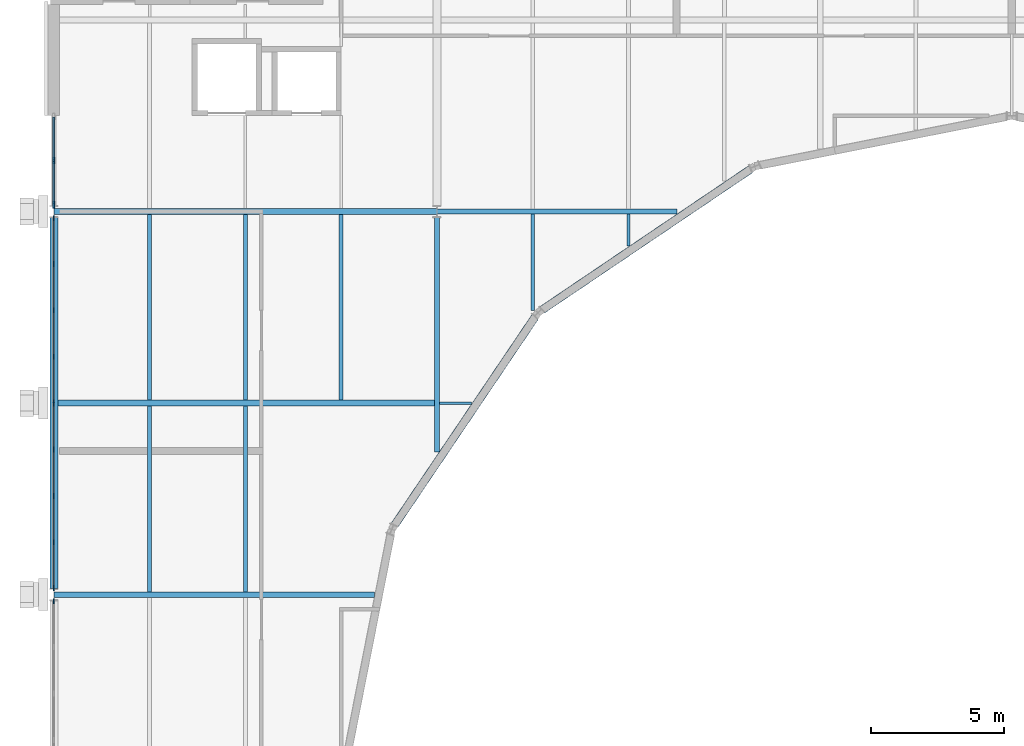
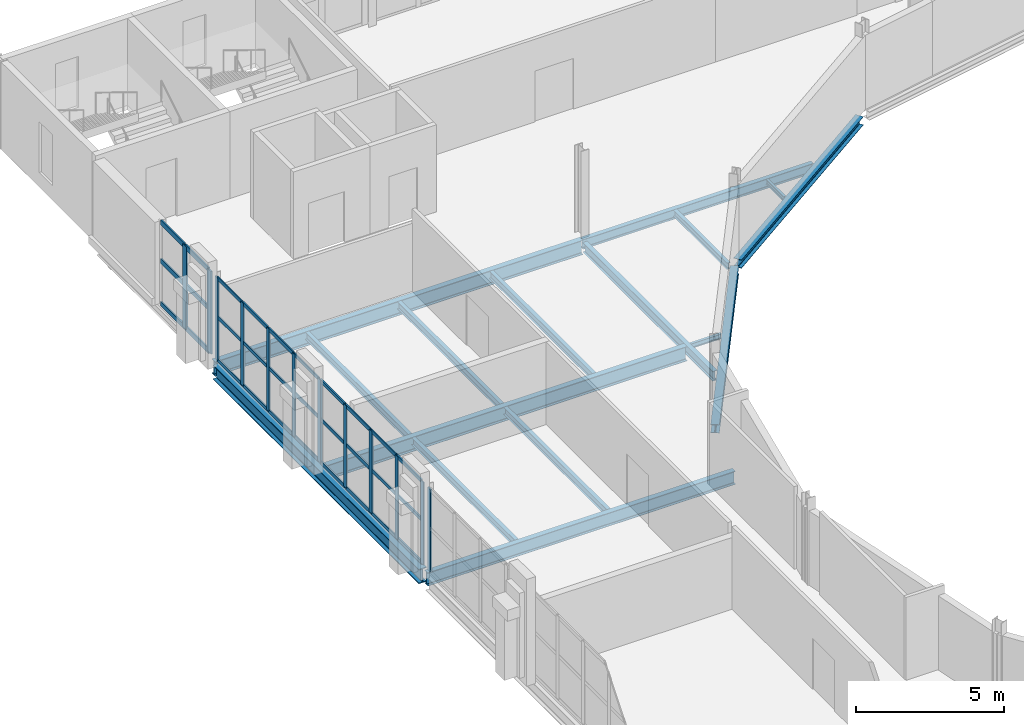
# One storey, part 39 of 124: 43 members, 16 beams, 4 elements without a shape of their own.
"""IFC4 building model written with IfcOpenShell, lengths in metres."""

from ifc_helpers import new_model, si_unit, direction, frame, origin, origin_2d, place, context, subcontext, project, spatial, rectangle, i_section, extrude, material, material_profile, profile_set, type_object, element, aggregate, save


model = new_model("IFC4")

# Units and contexts
model_context = context("Model", 3, precision=1e-05, world=origin(), true_north=direction((0.0, 1.0)))
body_context = subcontext(model_context, "Body", "Model", "MODEL_VIEW")
ifc_project = project(units=[si_unit("LENGTHUNIT", "METRE"), si_unit("AREAUNIT", "SQUARE_METRE"), si_unit("VOLUMEUNIT", "CUBIC_METRE"), si_unit("PLANEANGLEUNIT", "RADIAN"), si_unit("MASSUNIT", "GRAM", prefix="KILO")], contexts=[model_context])

# Site, building, storey
site_placement = place(None, origin())
site = spatial("IfcSite", under=ifc_project, at=site_placement, CompositionType="ELEMENT")
building_placement = place(site_placement, origin())
building = spatial("IfcBuilding", under=site, at=building_placement, Name="Kupolbacken Congress Centre", CompositionType="ELEMENT")
storey_placement = place(building_placement, frame((0.0, 0.0, 10.800048828125)))
storey = spatial("IfcBuildingStorey", under=building, at=storey_placement, Name="L03", CompositionType="ELEMENT", Elevation=10.800048828125)

# Beams
ifc_material_1 = material(Name="Steel S355", Category="steel")
ifc_material_profile_1 = material_profile(ifc_material_1, i_section(OverallWidth=0.10009765625, OverallDepth=0.199951171875, WebThickness=0.005615234375, FlangeThickness=0.008544921875, FilletRadius=0.011962890625, at=origin_2d()), Name="IPE 200")
ifc_profile_set_1 = profile_set([ifc_material_profile_1], Name="Steel S355")
beam_type_1 = type_object("IfcBeamType", Name="B01 beam IPE 200", PredefinedType="BEAM", material=ifc_profile_set_1)
beam_1_placement = place(storey_placement, frame((21.68994140625, 100.800048828125, -0.280029296875), z_axis=(1.0, 0.0, 0.0), x_axis=(0.0, 1.0, 0.0)))
element("IfcBeam", 1, at=beam_1_placement, inside=storey, type_object=beam_type_1, Name="S/floor/P/L03/R058", PredefinedType="BEAM", context=body_context, shape_type="SweptSolid", body=[
    extrude(i_section(OverallWidth=0.10009765625, OverallDepth=0.199951171875, WebThickness=0.005615234375, FlangeThickness=0.008544921875, FilletRadius=0.011962890625, at=origin_2d()), origin(), (0.0, 0.0, 1.0), 1.200927734375),
])
beam_2_placement = place(storey_placement, frame((28.800048828125, 106.709228515625, -0.280029296875), z_axis=(0.0, 1.0, 0.0), x_axis=(-1.0, 0.0, 0.0)))
element("IfcBeam", 2, at=beam_2_placement, inside=storey, type_object=beam_type_1, Name="S/floor/P/L03/S105", PredefinedType="BEAM", context=body_context, shape_type="SweptSolid", body=[
    extrude(i_section(OverallWidth=0.10009765625, OverallDepth=0.199951171875, WebThickness=0.005615234375, FlangeThickness=0.008544921875, FilletRadius=0.011962890625, at=origin_2d()), origin(), (0.0, 0.0, 1.0), 1.20068359375),
])
ifc_material_2 = material(Name="Steel S355", Category="steel")
ifc_material_profile_2 = material_profile(ifc_material_2, i_section(OverallWidth=0.135009765625, OverallDepth=0.27001953125, WebThickness=0.006591796875, FlangeThickness=0.01025390625, FilletRadius=0.014892578125, at=origin_2d()), Name="IPE 270")
ifc_profile_set_2 = profile_set([ifc_material_profile_2], Name="Steel S355")
beam_type_2 = type_object("IfcBeamType", Name="B03 beam IPE 270", PredefinedType="BEAM", material=ifc_profile_set_2)
beam_3_placement = place(storey_placement, frame((25.199951171875, 104.271728515625, -0.31494140625), z_axis=(0.0, 1.0, 0.0), x_axis=(-1.0, 0.0, 0.0)))
element("IfcBeam", 3, at=beam_3_placement, inside=storey, type_object=beam_type_2, Name="S/floor/P/L03/S099", PredefinedType="BEAM", context=body_context, shape_type="SweptSolid", body=[
    extrude(i_section(OverallWidth=0.135009765625, OverallDepth=0.27001953125, WebThickness=0.006591796875, FlangeThickness=0.01025390625, FilletRadius=0.014892578125, at=origin_2d()), origin(), (0.0, 0.0, 1.0), 3.63818359375),
])
ifc_material_3 = material(Name="Steel S355", Category="steel")
ifc_material_profile_3 = material_profile(ifc_material_3, i_section(OverallWidth=0.14990234375, OverallDepth=0.300048828125, WebThickness=0.007080078125, FlangeThickness=0.0107421875, FilletRadius=0.014892578125, at=origin_2d()), Name="IPE 300")
ifc_profile_set_3 = profile_set([ifc_material_profile_3], Name="Steel S355")
beam_type_3 = type_object("IfcBeamType", Name="B04 beam IPE 300", PredefinedType="BEAM", material=ifc_profile_set_3)
beam_4_placement = place(storey_placement, frame((10.800048828125, 93.705078125, -0.330078125), z_axis=(0.0, 1.0, 0.0), x_axis=(-1.0, 0.0, 0.0)))
element("IfcBeam", 4, at=beam_4_placement, inside=storey, type_object=beam_type_3, Name="S/floor/P/L03/S081", PredefinedType="BEAM", context=body_context, shape_type="SweptSolid", body=[
    extrude(i_section(OverallWidth=0.14990234375, OverallDepth=0.300048828125, WebThickness=0.007080078125, FlangeThickness=0.0107421875, FilletRadius=0.014892578125, at=origin_2d()), origin(), (0.0, 0.0, 1.0), 6.98486328125),
])
beam_5_placement = place(storey_placement, frame((10.800048828125, 100.909912109375, -0.330078125), z_axis=(0.0, 1.0, 0.0), x_axis=(-1.0, 0.0, 0.0)))
element("IfcBeam", 5, at=beam_5_placement, inside=storey, type_object=beam_type_3, Name="S/floor/P/L03/S082", PredefinedType="BEAM", context=body_context, shape_type="SweptSolid", body=[
    extrude(i_section(OverallWidth=0.14990234375, OverallDepth=0.300048828125, WebThickness=0.007080078125, FlangeThickness=0.0107421875, FilletRadius=0.014892578125, at=origin_2d()), origin(), (0.0, 0.0, 1.0), 6.97998046875),
])
beam_6_placement = place(storey_placement, frame((14.39990234375, 93.705078125, -0.330078125), z_axis=(0.0, 1.0, 0.0), x_axis=(-1.0, 0.0, 0.0)))
element("IfcBeam", 6, at=beam_6_placement, inside=storey, type_object=beam_type_3, Name="S/floor/P/L03/S091", PredefinedType="BEAM", context=body_context, shape_type="SweptSolid", body=[
    extrude(i_section(OverallWidth=0.14990234375, OverallDepth=0.300048828125, WebThickness=0.007080078125, FlangeThickness=0.0107421875, FilletRadius=0.014892578125, at=origin_2d()), origin(), (0.0, 0.0, 1.0), 6.98486328125),
])
for number, where, z_axis, x_axis, name in (
    (7, (14.39990234375, 100.909912109375, -0.330078125), (0.0, 1.0, 0.0), (-1.0, 0.0, 0.0), "S/floor/P/L03/S092"),
    (8, (18.0, 100.909912109375, -0.330078125), (0.0, 1.0, 0.0), (-1.0, 0.0, 0.0), "S/floor/P/L03/S169"),
):
    element("IfcBeam", number, at=place(storey_placement, frame(where, z_axis=z_axis, x_axis=x_axis)), inside=storey, type_object=beam_type_3, Name=name, PredefinedType="BEAM", context=body_context, shape_type="SweptSolid", body=[
        extrude(i_section(OverallWidth=0.14990234375, OverallDepth=0.300048828125, WebThickness=0.007080078125, FlangeThickness=0.0107421875, FilletRadius=0.014892578125, at=origin_2d()), origin(), (0.0, 0.0, 1.0), 6.97998046875),
    ])
ifc_material_4 = material(Name="Steel S355", Category="steel")
ifc_material_profile_4 = material_profile(ifc_material_4, i_section(OverallWidth=0.179931640625, OverallDepth=0.39990234375, WebThickness=0.008544921875, FlangeThickness=0.013427734375, FilletRadius=0.02099609375, at=origin_2d()), Name="IPE 400")
ifc_profile_set_4 = profile_set([ifc_material_profile_4], Name="Steel S355")
beam_type_4 = type_object("IfcBeamType", Name="B07 beam IPE 400", PredefinedType="BEAM", material=ifc_profile_set_4)
beam_7_placement = place(storey_placement, frame((21.60009765625, 98.970703125, -0.380126953125), z_axis=(0.0, 1.0, 0.0), x_axis=(-1.0, 0.0, 0.0)))
element("IfcBeam", 9, at=beam_7_placement, inside=storey, type_object=beam_type_4, Name="S/floor/P/L03/G023", PredefinedType="BEAM", context=body_context, shape_type="SweptSolid", body=[
    extrude(i_section(OverallWidth=0.179931640625, OverallDepth=0.39990234375, WebThickness=0.008544921875, FlangeThickness=0.013427734375, FilletRadius=0.02099609375, at=origin_2d()), origin(), (0.0, 0.0, 1.0), 8.80419921875),
])
beam_8_placement = place(storey_placement, frame((21.60693359375, 108.0, -0.380126953125), z_axis=(1.0, 0.0, 0.0), x_axis=(0.0, 1.0, 0.0)))
element("IfcBeam", 10, at=beam_8_placement, inside=storey, type_object=beam_type_4, Name="S/floor/P/L03/R062", PredefinedType="BEAM", context=body_context, shape_type="SweptSolid", body=[
    extrude(i_section(OverallWidth=0.179931640625, OverallDepth=0.39990234375, WebThickness=0.008544921875, FlangeThickness=0.013427734375, FilletRadius=0.02099609375, at=origin_2d()), origin(), (0.0, 0.0, 1.0), 9.0224609375),
])
ifc_material_5 = material(Name="Steel S355", Category="steel")
ifc_material_profile_5 = material_profile(ifc_material_5, i_section(OverallWidth=0.2099609375, OverallDepth=0.550048828125, WebThickness=0.010986328125, FlangeThickness=0.01708984375, FilletRadius=0.02392578125, at=origin_2d()), Name="IPE 550")
ifc_profile_set_5 = profile_set([ifc_material_profile_5], Name="Steel S355")
beam_type_5 = type_object("IfcBeamType", Name="B10 beam IPE 550", PredefinedType="BEAM", material=ifc_profile_set_5)
beam_9_placement = place(storey_placement, frame((7.20703125, 93.60009765625, -0.455078125), z_axis=(1.0, 0.0, 0.0), x_axis=(0.0, 1.0, 0.0)))
element("IfcBeam", 11, at=beam_9_placement, inside=storey, type_object=beam_type_5, Name="S/floor/P/L03/R055", PredefinedType="BEAM", context=body_context, shape_type="SweptSolid", body=[
    extrude(i_section(OverallWidth=0.2099609375, OverallDepth=0.550048828125, WebThickness=0.010986328125, FlangeThickness=0.01708984375, FilletRadius=0.02392578125, at=origin_2d()), origin(), (0.0, 0.0, 1.0), 12.037109375),
])
ifc_material_6 = material(Name="Steel S355", Category="steel")
ifc_material_profile_6 = material_profile(ifc_material_6, i_section(OverallWidth=0.219970703125, OverallDepth=0.60009765625, WebThickness=0.011962890625, FlangeThickness=0.01904296875, FilletRadius=0.02392578125, at=origin_2d()), Name="IPE 600")
ifc_profile_set_6 = profile_set([ifc_material_profile_6], Name="Steel S355")
beam_type_6 = type_object("IfcBeamType", Name="B11 beam IPE 600", PredefinedType="BEAM", material=ifc_profile_set_6)
beam_10_placement = place(storey_placement, frame((7.35009765625, 100.800048828125, -0.47998046875), z_axis=(1.0, 0.0, 0.0), x_axis=(0.0, 1.0, 0.0)))
element("IfcBeam", 12, at=beam_10_placement, inside=storey, type_object=beam_type_6, Name="S/floor/P/L03/R057", PredefinedType="BEAM", context=body_context, shape_type="SweptSolid", body=[
    extrude(i_section(OverallWidth=0.219970703125, OverallDepth=0.60009765625, WebThickness=0.011962890625, FlangeThickness=0.01904296875, FilletRadius=0.02392578125, at=origin_2d()), origin(), (0.0, 0.0, 1.0), 14.159912109375),
])
beam_11_placement = place(storey_placement, frame((7.20703125, 108.0, -0.47998046875), z_axis=(1.0, 0.0, 0.0), x_axis=(0.0, 1.0, 0.0)))
element("IfcBeam", 13, at=beam_11_placement, inside=storey, type_object=beam_type_6, Name="S/floor/P/L03/R061", PredefinedType="BEAM", context=body_context, shape_type="SweptSolid", body=[
    extrude(i_section(OverallWidth=0.219970703125, OverallDepth=0.60009765625, WebThickness=0.011962890625, FlangeThickness=0.01904296875, FilletRadius=0.02392578125, at=origin_2d()), origin(), (0.0, 0.0, 1.0), 14.385986328125),
])
ifc_material_7 = material(Name="Steel S355", Category="steel")
ifc_material_profile_7 = material_profile(ifc_material_7, i_section(OverallWidth=0.300048828125, OverallDepth=0.35009765625, WebThickness=0.010009765625, FlangeThickness=0.017578125, FilletRadius=0.027099609375, at=origin_2d()), Name="HEA 360")
ifc_profile_set_7 = profile_set([ifc_material_profile_7], Name="Steel S355")
beam_type_7 = type_object("IfcBeamType", Name="B13 beam HEA 360", PredefinedType="BEAM", material=ifc_profile_set_7)
beam_12_placement = place(storey_placement, frame((33.380859375, 109.5859375, -0.35498046875), z_axis=(-0.828904528397, -0.55939009895, 0.0), x_axis=(0.55939009895, -0.828904528397, 0.0)))
element("IfcBeam", 14, at=beam_12_placement, inside=storey, type_object=beam_type_7, Name="S/floor/P/L03/C006", PredefinedType="BEAM", context=body_context, shape_type="SweptSolid", body=[
    extrude(i_section(OverallWidth=0.300048828125, OverallDepth=0.35009765625, WebThickness=0.010009765625, FlangeThickness=0.017578125, FilletRadius=0.027099609375, at=origin_2d()), origin(), (0.0, 0.0, 1.0), 9.424560546875),
])
beam_13_placement = place(storey_placement, frame((25.2861328125, 104.031005859375, -0.35498046875), z_axis=(-0.559402110752, -0.828896422049, 0.0), x_axis=(0.828896422049, -0.559402110752, 0.0)))
element("IfcBeam", 15, at=beam_13_placement, inside=storey, type_object=beam_type_7, Name="S/floor/P/L03/C007", PredefinedType="BEAM", context=body_context, shape_type="SweptSolid", body=[
    extrude(i_section(OverallWidth=0.300048828125, OverallDepth=0.35009765625, WebThickness=0.010009765625, FlangeThickness=0.017578125, FilletRadius=0.027099609375, at=origin_2d()), origin(), (0.0, 0.0, 1.0), 9.42431640625),
])
ifc_material_8 = material(Name="Steel S355", Category="steel")
ifc_material_profile_8 = material_profile(ifc_material_8, i_section(OverallWidth=0.300048828125, OverallDepth=0.60009765625, WebThickness=0.015380859375, FlangeThickness=0.030029296875, FilletRadius=0.027099609375, at=origin_2d()), Name="HEB 600")
ifc_profile_set_8 = profile_set([ifc_material_profile_8], Name="Steel S355")
beam_type_8 = type_object("IfcBeamType", Name="B15 beam HEB 600", PredefinedType="BEAM", material=ifc_profile_set_8)
beam_14_placement = place(storey_placement, frame((7.199951171875, 93.824951171875, -0.47998046875), z_axis=(0.0, 1.0, 0.0), x_axis=(-1.0, 0.0, 0.0)))
element("IfcBeam", 16, at=beam_14_placement, inside=storey, type_object=beam_type_8, Name="S/floor/P/L03/G020", PredefinedType="BEAM", context=body_context, shape_type="SweptSolid", body=[
    extrude(i_section(OverallWidth=0.300048828125, OverallDepth=0.60009765625, WebThickness=0.015380859375, FlangeThickness=0.030029296875, FilletRadius=0.027099609375, at=origin_2d()), origin(), (0.0, 0.0, 1.0), 13.949951171875),
])

# Curtain wall, members
ifc_material_9 = material(Name="Aluminium mullion-transom frame with glass", Category="aluminium")
curtain_wall_type_1 = type_object("IfcCurtainWallType", Name="CW1 curtain wall 7200x3600", PredefinedType="NOTDEFINED", material=ifc_material_9)
curtain_wall_1_placement = place(storey_placement, origin())
curtain_wall_1 = element("IfcCurtainWall", 17, at=curtain_wall_1_placement, inside=storey, type_object=curtain_wall_type_1, Name="E/P/W/L03/387", PredefinedType="NOTDEFINED")
ifc_material_10 = material(Name="Aluminium alloy", Category="aluminium")
ifc_material_profile_9 = material_profile(ifc_material_10, rectangle(XDim=0.050048828125, YDim=0.199951171875, at=origin_2d()), Name="50 x 200")
ifc_profile_set_9 = profile_set([ifc_material_profile_9], Name="Aluminium alloy")
member_type_1 = type_object("IfcMemberType", Name="MU2 mullion 50x200", PredefinedType="MULLION", material=ifc_profile_set_9)
member_1_placement = place(storey_placement, frame((7.199951171875, 107.75, 0.0), z_axis=(0.0, 0.0, 1.0), x_axis=(1.0, 0.0, 0.0)))
member_1 = element("IfcMember", 18, at=member_1_placement, type_object=member_type_1, Name="CW1 mullion 1", PredefinedType="MULLION", context=body_context, shape_type="SweptSolid", body=[
    extrude(rectangle(XDim=0.050048828125, YDim=0.199951171875, at=origin_2d()), origin(), (0.0, 0.0, 1.0), 3.419921875),
])
member_2_placement = place(storey_placement, frame((7.199951171875, 106.03125, 0.0), z_axis=(0.0, 0.0, 1.0), x_axis=(1.0, 0.0, 0.0)))
member_2 = element("IfcMember", 19, at=member_2_placement, type_object=member_type_1, Name="CW1 mullion 2", PredefinedType="MULLION", context=body_context, shape_type="SweptSolid", body=[
    extrude(rectangle(XDim=0.050048828125, YDim=0.199951171875, at=origin_2d()), origin(), (0.0, 0.0, 1.0), 3.419921875),
])
member_3_placement = place(storey_placement, frame((7.199951171875, 104.28759765625, 0.0), z_axis=(0.0, 0.0, 1.0), x_axis=(1.0, 0.0, 0.0)))
member_3 = element("IfcMember", 20, at=member_3_placement, type_object=member_type_1, Name="CW1 mullion 3", PredefinedType="MULLION", context=body_context, shape_type="SweptSolid", body=[
    extrude(rectangle(XDim=0.050048828125, YDim=0.199951171875, at=origin_2d()), origin(), (0.0, 0.0, 1.0), 3.419921875),
])
member_4_placement = place(storey_placement, frame((7.199951171875, 102.543701171875, 0.0), z_axis=(0.0, 0.0, 1.0), x_axis=(1.0, 0.0, 0.0)))
member_4 = element("IfcMember", 21, at=member_4_placement, type_object=member_type_1, Name="CW1 mullion 4", PredefinedType="MULLION", context=body_context, shape_type="SweptSolid", body=[
    extrude(rectangle(XDim=0.050048828125, YDim=0.199951171875, at=origin_2d()), origin(), (0.0, 0.0, 1.0), 3.419921875),
])
member_5_placement = place(storey_placement, frame((7.199951171875, 100.824951171875, 0.0), z_axis=(0.0, 0.0, 1.0), x_axis=(1.0, 0.0, 0.0)))
member_5 = element("IfcMember", 22, at=member_5_placement, type_object=member_type_1, Name="CW1 mullion 5", PredefinedType="MULLION", context=body_context, shape_type="SweptSolid", body=[
    extrude(rectangle(XDim=0.050048828125, YDim=0.199951171875, at=origin_2d()), origin(), (0.0, 0.0, 1.0), 3.419921875),
])

curtain_wall_2_placement = place(storey_placement, origin())
curtain_wall_2 = element("IfcCurtainWall", 23, at=curtain_wall_2_placement, inside=storey, type_object=curtain_wall_type_1, Name="E/P/W/L03/388", PredefinedType="NOTDEFINED")
member_6_placement = place(storey_placement, frame((7.199951171875, 100.77490234375, 0.0), z_axis=(0.0, 0.0, 1.0), x_axis=(1.0, 0.0, 0.0)))
member_6 = element("IfcMember", 24, at=member_6_placement, type_object=member_type_1, Name="CW1 mullion 1", PredefinedType="MULLION", context=body_context, shape_type="SweptSolid", body=[
    extrude(rectangle(XDim=0.050048828125, YDim=0.199951171875, at=origin_2d()), origin(), (0.0, 0.0, 1.0), 3.419921875),
])
member_7_placement = place(storey_placement, frame((7.199951171875, 99.05615234375, 0.0), z_axis=(0.0, 0.0, 1.0), x_axis=(1.0, 0.0, 0.0)))
member_7 = element("IfcMember", 25, at=member_7_placement, type_object=member_type_1, Name="CW1 mullion 2", PredefinedType="MULLION", context=body_context, shape_type="SweptSolid", body=[
    extrude(rectangle(XDim=0.050048828125, YDim=0.199951171875, at=origin_2d()), origin(), (0.0, 0.0, 1.0), 3.419921875),
])
member_8_placement = place(storey_placement, frame((7.199951171875, 97.3125, 0.0), z_axis=(0.0, 0.0, 1.0), x_axis=(1.0, 0.0, 0.0)))
member_8 = element("IfcMember", 26, at=member_8_placement, type_object=member_type_1, Name="CW1 mullion 3", PredefinedType="MULLION", context=body_context, shape_type="SweptSolid", body=[
    extrude(rectangle(XDim=0.050048828125, YDim=0.199951171875, at=origin_2d()), origin(), (0.0, 0.0, 1.0), 3.419921875),
])
member_9_placement = place(storey_placement, frame((7.199951171875, 95.56884765625, 0.0), z_axis=(0.0, 0.0, 1.0), x_axis=(1.0, 0.0, 0.0)))
member_9 = element("IfcMember", 27, at=member_9_placement, type_object=member_type_1, Name="CW1 mullion 4", PredefinedType="MULLION", context=body_context, shape_type="SweptSolid", body=[
    extrude(rectangle(XDim=0.050048828125, YDim=0.199951171875, at=origin_2d()), origin(), (0.0, 0.0, 1.0), 3.419921875),
])
member_10_placement = place(storey_placement, frame((7.199951171875, 93.85009765625, 0.0), z_axis=(0.0, 0.0, 1.0), x_axis=(1.0, 0.0, 0.0)))
member_10 = element("IfcMember", 28, at=member_10_placement, type_object=member_type_1, Name="CW1 mullion 5", PredefinedType="MULLION", context=body_context, shape_type="SweptSolid", body=[
    extrude(rectangle(XDim=0.050048828125, YDim=0.199951171875, at=origin_2d()), origin(), (0.0, 0.0, 1.0), 3.419921875),
])

# Curtain wall, member
curtain_wall_3_placement = place(storey_placement, origin())
curtain_wall_3 = element("IfcCurtainWall", 29, at=curtain_wall_3_placement, inside=storey, type_object=curtain_wall_type_1, Name="E/P/W/L03/389", PredefinedType="NOTDEFINED")
member_11_placement = place(storey_placement, frame((7.199951171875, 93.35009765625, 0.0), z_axis=(0.0, 0.0, 1.0), x_axis=(1.0, 0.0, 0.0)))
member_11 = element("IfcMember", 30, at=member_11_placement, type_object=member_type_1, Name="CW1 mullion 1", PredefinedType="MULLION", context=body_context, shape_type="SweptSolid", body=[
    extrude(rectangle(XDim=0.050048828125, YDim=0.199951171875, at=origin_2d()), origin(), (0.0, 0.0, 1.0), 3.419921875),
])
aggregate(curtain_wall_3, [member_11])

# Curtain wall, members
ifc_material_11 = material(Name="Aluminium mullion-transom frame with glass", Category="aluminium")
curtain_wall_type_2 = type_object("IfcCurtainWallType", Name="CW2 curtain wall 3600x3600", PredefinedType="NOTDEFINED", material=ifc_material_11)
curtain_wall_4_placement = place(storey_placement, origin())
curtain_wall_4 = element("IfcCurtainWall", 31, at=curtain_wall_4_placement, inside=storey, type_object=curtain_wall_type_2, Name="E/P/W/L03/386", PredefinedType="NOTDEFINED")
ifc_material_12 = material(Name="Aluminium alloy", Category="aluminium")
ifc_material_profile_10 = material_profile(ifc_material_12, rectangle(XDim=0.06005859375, YDim=0.25, at=origin_2d()), Name="60 x 250")
ifc_profile_set_10 = profile_set([ifc_material_profile_10], Name="Aluminium alloy")
member_type_2 = type_object("IfcMemberType", Name="MU3 mullion 60x250", PredefinedType="MULLION", material=ifc_profile_set_10)
member_12_placement = place(storey_placement, frame((7.199951171875, 109.91259765625, 0.0), z_axis=(0.0, 0.0, 1.0), x_axis=(1.0, 0.0, 0.0)))
member_12 = element("IfcMember", 32, at=member_12_placement, type_object=member_type_2, Name="CW2 mullion 2", PredefinedType="MULLION", context=body_context, shape_type="SweptSolid", body=[
    extrude(rectangle(XDim=0.06005859375, YDim=0.25, at=origin_2d()), origin(), (0.0, 0.0, 1.0), 3.419921875),
])
member_13_placement = place(storey_placement, frame((7.199951171875, 108.2548828125, 0.0), z_axis=(0.0, 0.0, 1.0), x_axis=(1.0, 0.0, 0.0)))
member_13 = element("IfcMember", 33, at=member_13_placement, type_object=member_type_2, Name="CW2 mullion 3", PredefinedType="MULLION", context=body_context, shape_type="SweptSolid", body=[
    extrude(rectangle(XDim=0.06005859375, YDim=0.25, at=origin_2d()), origin(), (0.0, 0.0, 1.0), 3.419921875),
])

# Member
ifc_material_13 = material(Name="Aluminium alloy", Category="aluminium")
ifc_material_profile_11 = material_profile(ifc_material_13, rectangle(XDim=0.050048828125, YDim=0.14990234375, at=origin_2d()), Name="50 x 150")
ifc_profile_set_11 = profile_set([ifc_material_profile_11], Name="Aluminium alloy")
member_type_3 = type_object("IfcMemberType", Name="TR2 transom 50x150", PredefinedType="MULLION", material=ifc_profile_set_11)
member_14_placement = place(storey_placement, frame((7.199951171875, 107.72509765625, 0.02490234375), z_axis=(0.0, -1.0, 0.0), x_axis=(1.0, 0.0, 0.0)))
member_14 = element("IfcMember", 34, at=member_14_placement, type_object=member_type_3, Name="CW1 transom 1.1", PredefinedType="MULLION", context=body_context, shape_type="SweptSolid", body=[
    extrude(rectangle(XDim=0.050048828125, YDim=0.14990234375, at=origin_2d()), origin(), (0.0, 0.0, 1.0), 1.6689453125),
])

member_15_placement = place(storey_placement, frame((7.199951171875, 107.72509765625, 1.800048828125), z_axis=(0.0, -1.0, 0.0), x_axis=(1.0, 0.0, 0.0)))
member_15 = element("IfcMember", 35, at=member_15_placement, type_object=member_type_3, Name="CW1 transom 1.2", PredefinedType="MULLION", context=body_context, shape_type="SweptSolid", body=[
    extrude(rectangle(XDim=0.050048828125, YDim=0.14990234375, at=origin_2d()), origin(), (0.0, 0.0, 1.0), 1.6689453125),
])

member_16_placement = place(storey_placement, frame((7.199951171875, 107.72509765625, 3.39501953125), z_axis=(0.0, -1.0, 0.0), x_axis=(1.0, 0.0, 0.0)))
member_16 = element("IfcMember", 36, at=member_16_placement, type_object=member_type_3, Name="CW1 transom 1.3", PredefinedType="MULLION", context=body_context, shape_type="SweptSolid", body=[
    extrude(rectangle(XDim=0.050048828125, YDim=0.14990234375, at=origin_2d()), origin(), (0.0, 0.0, 1.0), 1.6689453125),
])

member_17_placement = place(storey_placement, frame((7.199951171875, 106.00634765625, 0.02490234375), z_axis=(0.0, -1.0, 0.0), x_axis=(1.0, 0.0, 0.0)))
member_17 = element("IfcMember", 37, at=member_17_placement, type_object=member_type_3, Name="CW1 transom 2.1", PredefinedType="MULLION", context=body_context, shape_type="SweptSolid", body=[
    extrude(rectangle(XDim=0.050048828125, YDim=0.14990234375, at=origin_2d()), origin(), (0.0, 0.0, 1.0), 1.69384765625),
])

member_18_placement = place(storey_placement, frame((7.199951171875, 106.00634765625, 1.800048828125), z_axis=(0.0, -1.0, 0.0), x_axis=(1.0, 0.0, 0.0)))
member_18 = element("IfcMember", 38, at=member_18_placement, type_object=member_type_3, Name="CW1 transom 2.2", PredefinedType="MULLION", context=body_context, shape_type="SweptSolid", body=[
    extrude(rectangle(XDim=0.050048828125, YDim=0.14990234375, at=origin_2d()), origin(), (0.0, 0.0, 1.0), 1.69384765625),
])

member_19_placement = place(storey_placement, frame((7.199951171875, 106.00634765625, 3.39501953125), z_axis=(0.0, -1.0, 0.0), x_axis=(1.0, 0.0, 0.0)))
member_19 = element("IfcMember", 39, at=member_19_placement, type_object=member_type_3, Name="CW1 transom 2.3", PredefinedType="MULLION", context=body_context, shape_type="SweptSolid", body=[
    extrude(rectangle(XDim=0.050048828125, YDim=0.14990234375, at=origin_2d()), origin(), (0.0, 0.0, 1.0), 1.69384765625),
])

member_20_placement = place(storey_placement, frame((7.199951171875, 104.262451171875, 0.02490234375), z_axis=(0.0, -1.0, 0.0), x_axis=(1.0, 0.0, 0.0)))
member_20 = element("IfcMember", 40, at=member_20_placement, type_object=member_type_3, Name="CW1 transom 3.1", PredefinedType="MULLION", context=body_context, shape_type="SweptSolid", body=[
    extrude(rectangle(XDim=0.050048828125, YDim=0.14990234375, at=origin_2d()), origin(), (0.0, 0.0, 1.0), 1.693603515625),
])

member_21_placement = place(storey_placement, frame((7.199951171875, 104.262451171875, 1.800048828125), z_axis=(0.0, -1.0, 0.0), x_axis=(1.0, 0.0, 0.0)))
member_21 = element("IfcMember", 41, at=member_21_placement, type_object=member_type_3, Name="CW1 transom 3.2", PredefinedType="MULLION", context=body_context, shape_type="SweptSolid", body=[
    extrude(rectangle(XDim=0.050048828125, YDim=0.14990234375, at=origin_2d()), origin(), (0.0, 0.0, 1.0), 1.693603515625),
])

member_22_placement = place(storey_placement, frame((7.199951171875, 104.262451171875, 3.39501953125), z_axis=(0.0, -1.0, 0.0), x_axis=(1.0, 0.0, 0.0)))
member_22 = element("IfcMember", 42, at=member_22_placement, type_object=member_type_3, Name="CW1 transom 3.3", PredefinedType="MULLION", context=body_context, shape_type="SweptSolid", body=[
    extrude(rectangle(XDim=0.050048828125, YDim=0.14990234375, at=origin_2d()), origin(), (0.0, 0.0, 1.0), 1.693603515625),
])

member_23_placement = place(storey_placement, frame((7.199951171875, 102.518798828125, 0.02490234375), z_axis=(0.0, -1.0, 0.0), x_axis=(1.0, 0.0, 0.0)))
member_23 = element("IfcMember", 43, at=member_23_placement, type_object=member_type_3, Name="CW1 transom 4.1", PredefinedType="MULLION", context=body_context, shape_type="SweptSolid", body=[
    extrude(rectangle(XDim=0.050048828125, YDim=0.14990234375, at=origin_2d()), origin(), (0.0, 0.0, 1.0), 1.668701171875),
])

member_24_placement = place(storey_placement, frame((7.199951171875, 102.518798828125, 1.800048828125), z_axis=(0.0, -1.0, 0.0), x_axis=(1.0, 0.0, 0.0)))
member_24 = element("IfcMember", 44, at=member_24_placement, type_object=member_type_3, Name="CW1 transom 4.2", PredefinedType="MULLION", context=body_context, shape_type="SweptSolid", body=[
    extrude(rectangle(XDim=0.050048828125, YDim=0.14990234375, at=origin_2d()), origin(), (0.0, 0.0, 1.0), 1.668701171875),
])

member_25_placement = place(storey_placement, frame((7.199951171875, 102.518798828125, 3.39501953125), z_axis=(0.0, -1.0, 0.0), x_axis=(1.0, 0.0, 0.0)))
member_25 = element("IfcMember", 45, at=member_25_placement, type_object=member_type_3, Name="CW1 transom 4.3", PredefinedType="MULLION", context=body_context, shape_type="SweptSolid", body=[
    extrude(rectangle(XDim=0.050048828125, YDim=0.14990234375, at=origin_2d()), origin(), (0.0, 0.0, 1.0), 1.668701171875),
])

aggregate(curtain_wall_1, [member_1, member_2, member_3, member_4, member_5, member_14, member_15, member_16, member_17, member_18, member_19, member_20, member_21, member_22, member_23, member_24, member_25])

member_26_placement = place(storey_placement, frame((7.199951171875, 100.75, 0.02490234375), z_axis=(0.0, -1.0, 0.0), x_axis=(1.0, 0.0, 0.0)))
member_26 = element("IfcMember", 46, at=member_26_placement, type_object=member_type_3, Name="CW1 transom 1.1", PredefinedType="MULLION", context=body_context, shape_type="SweptSolid", body=[
    extrude(rectangle(XDim=0.050048828125, YDim=0.14990234375, at=origin_2d()), origin(), (0.0, 0.0, 1.0), 1.668701171875),
])

member_27_placement = place(storey_placement, frame((7.199951171875, 100.75, 1.800048828125), z_axis=(0.0, -1.0, 0.0), x_axis=(1.0, 0.0, 0.0)))
member_27 = element("IfcMember", 47, at=member_27_placement, type_object=member_type_3, Name="CW1 transom 1.2", PredefinedType="MULLION", context=body_context, shape_type="SweptSolid", body=[
    extrude(rectangle(XDim=0.050048828125, YDim=0.14990234375, at=origin_2d()), origin(), (0.0, 0.0, 1.0), 1.668701171875),
])

member_28_placement = place(storey_placement, frame((7.199951171875, 100.75, 3.39501953125), z_axis=(0.0, -1.0, 0.0), x_axis=(1.0, 0.0, 0.0)))
member_28 = element("IfcMember", 48, at=member_28_placement, type_object=member_type_3, Name="CW1 transom 1.3", PredefinedType="MULLION", context=body_context, shape_type="SweptSolid", body=[
    extrude(rectangle(XDim=0.050048828125, YDim=0.14990234375, at=origin_2d()), origin(), (0.0, 0.0, 1.0), 1.668701171875),
])

member_29_placement = place(storey_placement, frame((7.199951171875, 99.03125, 0.02490234375), z_axis=(0.0, -1.0, 0.0), x_axis=(1.0, 0.0, 0.0)))
member_29 = element("IfcMember", 49, at=member_29_placement, type_object=member_type_3, Name="CW1 transom 2.1", PredefinedType="MULLION", context=body_context, shape_type="SweptSolid", body=[
    extrude(rectangle(XDim=0.050048828125, YDim=0.14990234375, at=origin_2d()), origin(), (0.0, 0.0, 1.0), 1.69384765625),
])

member_30_placement = place(storey_placement, frame((7.199951171875, 99.03125, 1.800048828125), z_axis=(0.0, -1.0, 0.0), x_axis=(1.0, 0.0, 0.0)))
member_30 = element("IfcMember", 50, at=member_30_placement, type_object=member_type_3, Name="CW1 transom 2.2", PredefinedType="MULLION", context=body_context, shape_type="SweptSolid", body=[
    extrude(rectangle(XDim=0.050048828125, YDim=0.14990234375, at=origin_2d()), origin(), (0.0, 0.0, 1.0), 1.69384765625),
])

member_31_placement = place(storey_placement, frame((7.199951171875, 99.03125, 3.39501953125), z_axis=(0.0, -1.0, 0.0), x_axis=(1.0, 0.0, 0.0)))
member_31 = element("IfcMember", 51, at=member_31_placement, type_object=member_type_3, Name="CW1 transom 2.3", PredefinedType="MULLION", context=body_context, shape_type="SweptSolid", body=[
    extrude(rectangle(XDim=0.050048828125, YDim=0.14990234375, at=origin_2d()), origin(), (0.0, 0.0, 1.0), 1.69384765625),
])

member_32_placement = place(storey_placement, frame((7.199951171875, 97.28759765625, 0.02490234375), z_axis=(0.0, -1.0, 0.0), x_axis=(1.0, 0.0, 0.0)))
member_32 = element("IfcMember", 52, at=member_32_placement, type_object=member_type_3, Name="CW1 transom 3.1", PredefinedType="MULLION", context=body_context, shape_type="SweptSolid", body=[
    extrude(rectangle(XDim=0.050048828125, YDim=0.14990234375, at=origin_2d()), origin(), (0.0, 0.0, 1.0), 1.69384765625),
])

member_33_placement = place(storey_placement, frame((7.199951171875, 97.28759765625, 1.800048828125), z_axis=(0.0, -1.0, 0.0), x_axis=(1.0, 0.0, 0.0)))
member_33 = element("IfcMember", 53, at=member_33_placement, type_object=member_type_3, Name="CW1 transom 3.2", PredefinedType="MULLION", context=body_context, shape_type="SweptSolid", body=[
    extrude(rectangle(XDim=0.050048828125, YDim=0.14990234375, at=origin_2d()), origin(), (0.0, 0.0, 1.0), 1.69384765625),
])

member_34_placement = place(storey_placement, frame((7.199951171875, 97.28759765625, 3.39501953125), z_axis=(0.0, -1.0, 0.0), x_axis=(1.0, 0.0, 0.0)))
member_34 = element("IfcMember", 54, at=member_34_placement, type_object=member_type_3, Name="CW1 transom 3.3", PredefinedType="MULLION", context=body_context, shape_type="SweptSolid", body=[
    extrude(rectangle(XDim=0.050048828125, YDim=0.14990234375, at=origin_2d()), origin(), (0.0, 0.0, 1.0), 1.69384765625),
])

member_35_placement = place(storey_placement, frame((7.199951171875, 95.543701171875, 0.02490234375), z_axis=(0.0, -1.0, 0.0), x_axis=(1.0, 0.0, 0.0)))
member_35 = element("IfcMember", 55, at=member_35_placement, type_object=member_type_3, Name="CW1 transom 4.1", PredefinedType="MULLION", context=body_context, shape_type="SweptSolid", body=[
    extrude(rectangle(XDim=0.050048828125, YDim=0.14990234375, at=origin_2d()), origin(), (0.0, 0.0, 1.0), 1.668701171875),
])

member_36_placement = place(storey_placement, frame((7.199951171875, 95.543701171875, 1.800048828125), z_axis=(0.0, -1.0, 0.0), x_axis=(1.0, 0.0, 0.0)))
member_36 = element("IfcMember", 56, at=member_36_placement, type_object=member_type_3, Name="CW1 transom 4.2", PredefinedType="MULLION", context=body_context, shape_type="SweptSolid", body=[
    extrude(rectangle(XDim=0.050048828125, YDim=0.14990234375, at=origin_2d()), origin(), (0.0, 0.0, 1.0), 1.668701171875),
])

member_37_placement = place(storey_placement, frame((7.199951171875, 95.543701171875, 3.39501953125), z_axis=(0.0, -1.0, 0.0), x_axis=(1.0, 0.0, 0.0)))
member_37 = element("IfcMember", 57, at=member_37_placement, type_object=member_type_3, Name="CW1 transom 4.3", PredefinedType="MULLION", context=body_context, shape_type="SweptSolid", body=[
    extrude(rectangle(XDim=0.050048828125, YDim=0.14990234375, at=origin_2d()), origin(), (0.0, 0.0, 1.0), 1.668701171875),
])

aggregate(curtain_wall_2, [member_6, member_7, member_8, member_9, member_10, member_26, member_27, member_28, member_29, member_30, member_31, member_32, member_33, member_34, member_35, member_36, member_37])

ifc_material_14 = material(Name="Aluminium alloy", Category="aluminium")
ifc_material_profile_12 = material_profile(ifc_material_14, rectangle(XDim=0.06005859375, YDim=0.199951171875, at=origin_2d()), Name="60 x 200")
ifc_profile_set_12 = profile_set([ifc_material_profile_12], Name="Aluminium alloy")
member_type_4 = type_object("IfcMemberType", Name="TR3 transom 60x200", PredefinedType="MULLION", material=ifc_profile_set_12)
member_38_placement = place(storey_placement, frame((7.199951171875, 111.5400390625, 0.030029296875), z_axis=(0.0, -1.0, 0.0), x_axis=(1.0, 0.0, 0.0)))
member_38 = element("IfcMember", 58, at=member_38_placement, type_object=member_type_4, Name="CW2 transom 1.1", PredefinedType="MULLION", context=body_context, shape_type="SweptSolid", body=[
    extrude(rectangle(XDim=0.06005859375, YDim=0.199951171875, at=origin_2d()), origin(), (0.0, 0.0, 1.0), 1.59765625),
])

member_39_placement = place(storey_placement, frame((7.199951171875, 111.5400390625, 1.800048828125), z_axis=(0.0, -1.0, 0.0), x_axis=(1.0, 0.0, 0.0)))
member_39 = element("IfcMember", 59, at=member_39_placement, type_object=member_type_4, Name="CW2 transom 1.2", PredefinedType="MULLION", context=body_context, shape_type="SweptSolid", body=[
    extrude(rectangle(XDim=0.06005859375, YDim=0.199951171875, at=origin_2d()), origin(), (0.0, 0.0, 1.0), 1.59765625),
])

member_40_placement = place(storey_placement, frame((7.199951171875, 111.5400390625, 3.389892578125), z_axis=(0.0, -1.0, 0.0), x_axis=(1.0, 0.0, 0.0)))
member_40 = element("IfcMember", 60, at=member_40_placement, type_object=member_type_4, Name="CW2 transom 1.3", PredefinedType="MULLION", context=body_context, shape_type="SweptSolid", body=[
    extrude(rectangle(XDim=0.06005859375, YDim=0.199951171875, at=origin_2d()), origin(), (0.0, 0.0, 1.0), 1.59765625),
])

member_41_placement = place(storey_placement, frame((7.199951171875, 109.882568359375, 0.030029296875), z_axis=(0.0, -1.0, 0.0), x_axis=(1.0, 0.0, 0.0)))
member_41 = element("IfcMember", 61, at=member_41_placement, type_object=member_type_4, Name="CW2 transom 2.1", PredefinedType="MULLION", context=body_context, shape_type="SweptSolid", body=[
    extrude(rectangle(XDim=0.06005859375, YDim=0.199951171875, at=origin_2d()), origin(), (0.0, 0.0, 1.0), 1.59765625),
])

member_42_placement = place(storey_placement, frame((7.199951171875, 109.882568359375, 1.800048828125), z_axis=(0.0, -1.0, 0.0), x_axis=(1.0, 0.0, 0.0)))
member_42 = element("IfcMember", 62, at=member_42_placement, type_object=member_type_4, Name="CW2 transom 2.2", PredefinedType="MULLION", context=body_context, shape_type="SweptSolid", body=[
    extrude(rectangle(XDim=0.06005859375, YDim=0.199951171875, at=origin_2d()), origin(), (0.0, 0.0, 1.0), 1.59765625),
])

member_43_placement = place(storey_placement, frame((7.199951171875, 109.882568359375, 3.389892578125), z_axis=(0.0, -1.0, 0.0), x_axis=(1.0, 0.0, 0.0)))
member_43 = element("IfcMember", 63, at=member_43_placement, type_object=member_type_4, Name="CW2 transom 2.3", PredefinedType="MULLION", context=body_context, shape_type="SweptSolid", body=[
    extrude(rectangle(XDim=0.06005859375, YDim=0.199951171875, at=origin_2d()), origin(), (0.0, 0.0, 1.0), 1.59765625),
])

aggregate(curtain_wall_4, [member_12, member_13, member_38, member_39, member_40, member_41, member_42, member_43])

save(model, "model.ifc")
